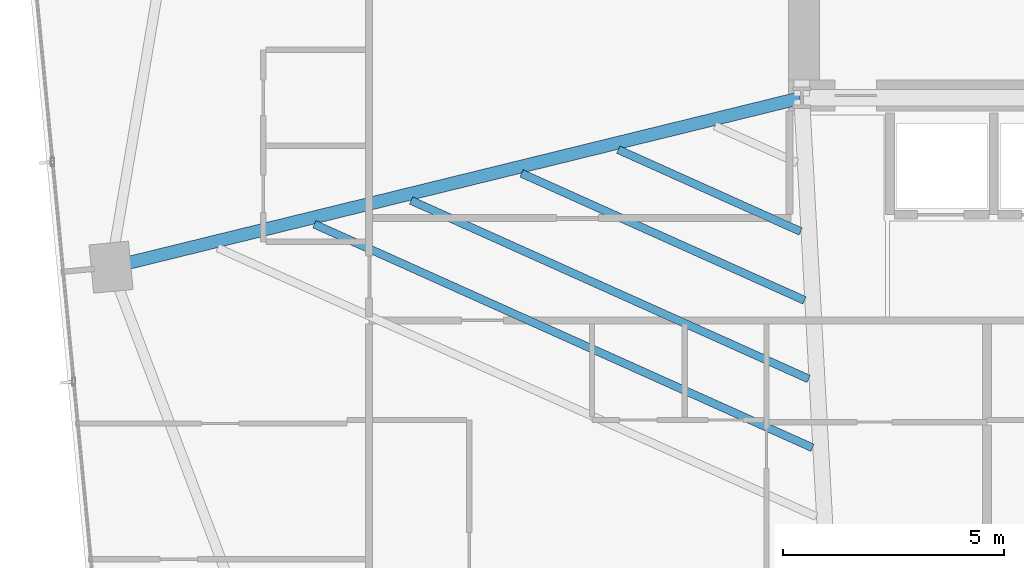
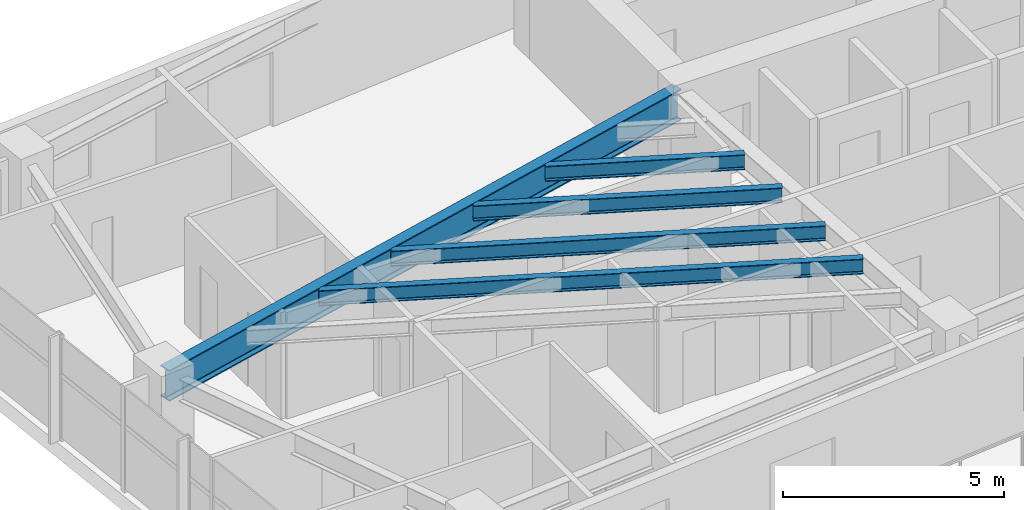
# One storey, part 5 of 25: 5 beams.
"""IFC4 building model written with IfcOpenShell, lengths in metres."""

from ifc_helpers import new_model, si_unit, direction, frame, origin, origin_2d, place, context, subcontext, project, spatial, i_section, extrude, source, transform, mapped, material, material_profile, profile_set, type_object, type_shapes, element, save


model = new_model("IFC4")

# Units and contexts
model_context = context("Model", 3, precision=1e-05, world=origin(), true_north=direction((0.0, 1.0)))
body_context = subcontext(model_context, "Body", "Model", "MODEL_VIEW")
ifc_project = project(units=[si_unit("LENGTHUNIT", "METRE"), si_unit("AREAUNIT", "SQUARE_METRE"), si_unit("VOLUMEUNIT", "CUBIC_METRE"), si_unit("PLANEANGLEUNIT", "RADIAN"), si_unit("MASSUNIT", "GRAM", prefix="KILO")], contexts=[model_context])

# Site, building, storey
site_placement = place(None, origin())
site = spatial("IfcSite", under=ifc_project, at=site_placement, CompositionType="ELEMENT")
building_placement = place(site_placement, origin())
building = spatial("IfcBuilding", under=site, at=building_placement, Name="Astriad Promenade Condominiums", CompositionType="ELEMENT")
storey_placement = place(building_placement, frame((0.0, 0.0, 77.800048828125)))
storey = spatial("IfcBuildingStorey", under=building, at=storey_placement, Name="L21", CompositionType="ELEMENT", Elevation=77.800048828125)

# Beams
ifc_material = material(Name="Steel ASTM A992 Grade 50", Category="steel")
ifc_material_profile_1 = material_profile(ifc_material, i_section(OverallWidth=0.2919921875, OverallDepth=0.85888671875, WebThickness=0.01708984375, FlangeThickness=0.031005859375, FilletRadius=0.02294921875, at=origin_2d()), Name="W33X169")
ifc_profile_set_1 = profile_set([ifc_material_profile_1], Name="Steel ASTM A992 Grade 50")
beam_type_1 = type_object("IfcBeamType", Name="STEEL PRIMARY GIRDER W33X169", PredefinedType="BEAM", material=ifc_profile_set_1)
shared_shape_1 = source(origin(), body_context, "Body", "SweptSolid", [
    extrude(i_section(OverallWidth=0.2919921875, OverallDepth=0.85888671875, WebThickness=0.01708984375, FlangeThickness=0.031005859375, FilletRadius=0.02294921875, at=origin_2d()), origin(), (0.0, 0.0, 1.0), 16.032470703125),
])
type_shapes(beam_type_1, [shared_shape_1])
beam_1_placement = place(storey_placement, frame((10.790283203125, 13.5703125, 2.510498046875), z_axis=(0.971199076901, 0.238269496633, 0.0), x_axis=(-0.238269496633, 0.971199076901, 0.0)))
element("IfcBeam", 1, at=beam_1_placement, inside=storey, type_object=beam_type_1, Name="Primary Floor Girder PG-WM-L21", PredefinedType="BEAM", context=body_context, shape_type="MappedRepresentation", body=[
    mapped(shared_shape_1, transform((0.0, 0.0, 0.0), scale=1.0)),
])
ifc_material_profile_2 = material_profile(ifc_material, i_section(OverallWidth=0.180908203125, OverallDepth=0.417236328125, WebThickness=0.010986328125, FlangeThickness=0.018310546875, FilletRadius=0.013916015625, at=origin_2d()), Name="W16X57")
ifc_profile_set_2 = profile_set([ifc_material_profile_2], Name="Steel ASTM A992 Grade 50")
beam_type_2 = type_object("IfcBeamType", Name="STEEL FLOOR JOIST W16X57", PredefinedType="JOIST", material=ifc_profile_set_2)
shared_shape_2 = source(origin(), body_context, "Body", "SweptSolid", [
    extrude(i_section(OverallWidth=0.180908203125, OverallDepth=0.417236328125, WebThickness=0.010986328125, FlangeThickness=0.018310546875, FilletRadius=0.013916015625, at=origin_2d()), origin(), (0.0, 0.0, 1.0), 12.369140625),
])
beam_2_placement = place(storey_placement, frame((15.35888671875, 14.534423828125, 2.731201171875), z_axis=(0.91230851279, -0.409503574454, 0.0), x_axis=(0.409503574454, 0.91230851279, 0.0)))
element("IfcBeam", 2, at=beam_2_placement, inside=storey, type_object=beam_type_2, Name="Secondary Composite Floor Joist JW1-2-L21", PredefinedType="JOIST", context=body_context, shape_type="MappedRepresentation", body=[
    mapped(shared_shape_2, transform((0.0, 0.0, 0.0), scale=1.0)),
])
shared_shape_3 = source(origin(), body_context, "Body", "SweptSolid", [
    extrude(i_section(OverallWidth=0.180908203125, OverallDepth=0.417236328125, WebThickness=0.010986328125, FlangeThickness=0.018310546875, FilletRadius=0.013916015625, at=origin_2d()), origin(), (0.0, 0.0, 1.0), 9.875),
])
beam_3_placement = place(storey_placement, frame((17.549560546875, 15.072021484375, 2.731201171875), z_axis=(0.912313833055, -0.409491721549, 0.0), x_axis=(0.409491721549, 0.912313833055, 0.0)))
element("IfcBeam", 3, at=beam_3_placement, inside=storey, type_object=beam_type_2, Name="Secondary Composite Floor Joist JW1-3-L21", PredefinedType="JOIST", context=body_context, shape_type="MappedRepresentation", body=[
    mapped(shared_shape_3, transform((0.0, 0.0, 0.0), scale=1.0)),
])
shared_shape_4 = source(origin(), body_context, "Body", "SweptSolid", [
    extrude(i_section(OverallWidth=0.180908203125, OverallDepth=0.417236328125, WebThickness=0.010986328125, FlangeThickness=0.018310546875, FilletRadius=0.013916015625, at=origin_2d()), origin(), (0.0, 0.0, 1.0), 7.024169921875),
])
beam_4_placement = place(storey_placement, frame((20.053466796875, 15.686279296875, 2.731201171875), z_axis=(0.912306106293, -0.409508935703, 0.0), x_axis=(0.409508935703, 0.912306106293, 0.0)))
element("IfcBeam", 4, at=beam_4_placement, inside=storey, type_object=beam_type_2, Name="Secondary Composite Floor Joist JW1-4-L21", PredefinedType="JOIST", context=body_context, shape_type="MappedRepresentation", body=[
    mapped(shared_shape_4, transform((0.0, 0.0, 0.0), scale=1.0)),
])
shared_shape_5 = source(origin(), body_context, "Body", "SweptSolid", [
    extrude(i_section(OverallWidth=0.180908203125, OverallDepth=0.417236328125, WebThickness=0.010986328125, FlangeThickness=0.018310546875, FilletRadius=0.013916015625, at=origin_2d()), origin(), (0.0, 0.0, 1.0), 4.52978515625),
])
type_shapes(beam_type_2, [shared_shape_2, shared_shape_3, shared_shape_4, shared_shape_5])
beam_5_placement = place(storey_placement, frame((22.244140625, 16.2236328125, 2.731201171875), z_axis=(0.912307341368, -0.409506184186, 0.0), x_axis=(0.409506184186, 0.912307341368, 0.0)))
element("IfcBeam", 5, at=beam_5_placement, inside=storey, type_object=beam_type_2, Name="Secondary Composite Floor Joist JW1-5-L21", PredefinedType="JOIST", context=body_context, shape_type="MappedRepresentation", body=[
    mapped(shared_shape_5, transform((0.0, 0.0, 0.0), scale=1.0)),
])

save(model, "model.ifc")
